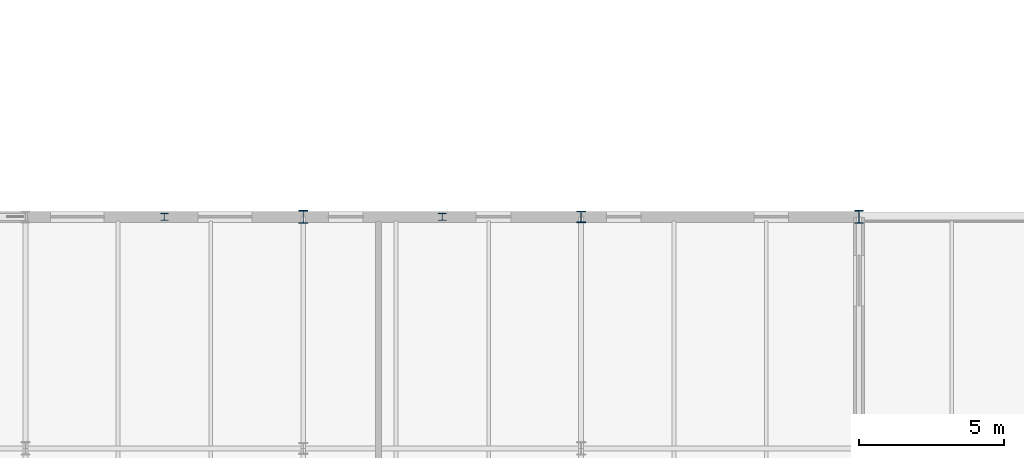
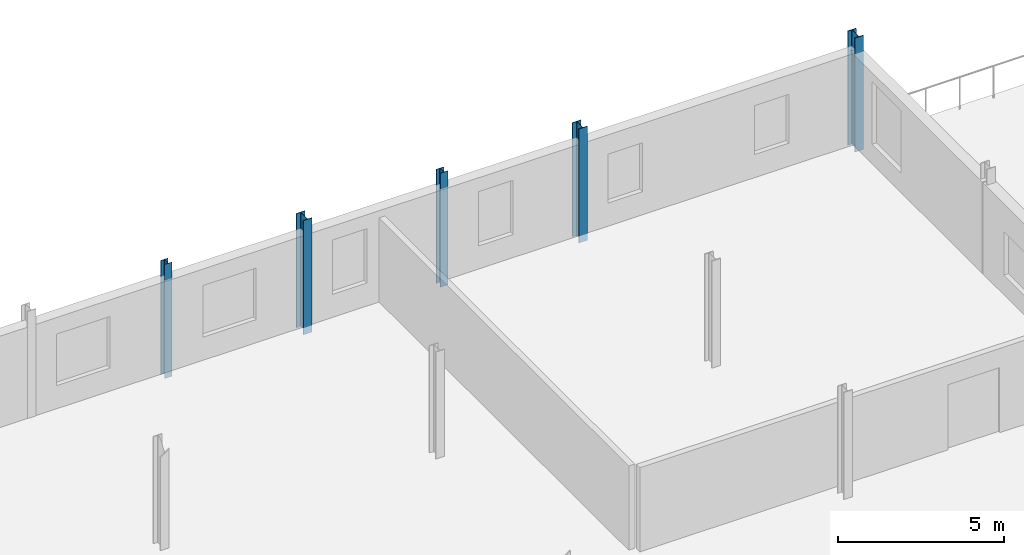
# One storey, part 23 of 85: 5 columns.
"""IFC4 building model written with IfcOpenShell, lengths in metres."""

from ifc_helpers import new_model, si_unit, direction, frame, origin, origin_2d, place, context, subcontext, project, spatial, i_section, extrude, material, material_profile, profile_set, type_object, element, save


model = new_model("IFC4")

# Units and contexts
model_context = context("Model", 3, precision=1e-05, world=origin(), true_north=direction((0.0, 1.0)))
body_context = subcontext(model_context, "Body", "Model", "MODEL_VIEW")
ifc_project = project(units=[si_unit("LENGTHUNIT", "METRE"), si_unit("AREAUNIT", "SQUARE_METRE"), si_unit("VOLUMEUNIT", "CUBIC_METRE"), si_unit("PLANEANGLEUNIT", "RADIAN"), si_unit("MASSUNIT", "GRAM", prefix="KILO")], contexts=[model_context])

# Site, building, storey
site_placement = place(None, origin())
site = spatial("IfcSite", under=ifc_project, at=site_placement, CompositionType="ELEMENT")
building_placement = place(site_placement, origin())
building = spatial("IfcBuilding", under=site, at=building_placement, Name="Alderhovde Museum", CompositionType="ELEMENT")
storey_placement = place(building_placement, frame((0.0, 0.0, 8.699951171875)))
storey = spatial("IfcBuildingStorey", under=building, at=storey_placement, Name="L02", CompositionType="ELEMENT", Elevation=8.699951171875)

# Columns
ifc_material_1 = material(Name="Steel S355J2", Category="steel")
ifc_material_profile_1 = material_profile(ifc_material_1, i_section(OverallWidth=0.300048828125, OverallDepth=0.39990234375, WebThickness=0.013427734375, FlangeThickness=0.02392578125, FilletRadius=0.027099609375, at=origin_2d()), Name="HEB 400")
ifc_profile_set_1 = profile_set([ifc_material_profile_1], Name="Steel S355J2")
column_type_1 = type_object("IfcColumnType", Name="COL-HEB400", PredefinedType="COLUMN", material=ifc_profile_set_1)
column_placement = place(storey_placement, frame((153.60009765625, 96.0, -0.260009765625), z_axis=(0.0, 0.0, 1.0), x_axis=(1.0, 0.0, 0.0)))
element("IfcColumn", 1, at=column_placement, inside=storey, type_object=column_type_1, Name="L02 Column (153.6, 96.0)", PredefinedType="COLUMN", context=body_context, shape_type="SweptSolid", body=[
    extrude(i_section(OverallWidth=0.300048828125, OverallDepth=0.39990234375, WebThickness=0.013427734375, FlangeThickness=0.02392578125, FilletRadius=0.027099609375, at=origin_2d()), origin(), (0.0, 0.0, 1.0), 4.199951171875),
])
ifc_material_2 = material(Name="Steel S355J2", Category="steel")
ifc_material_profile_2 = material_profile(ifc_material_2, i_section(OverallWidth=0.300048828125, OverallDepth=0.449951171875, WebThickness=0.013916015625, FlangeThickness=0.02587890625, FilletRadius=0.027099609375, at=origin_2d()), Name="HEB 450")
ifc_profile_set_2 = profile_set([ifc_material_profile_2], Name="Steel S355J2")
column_type_2 = type_object("IfcColumnType", Name="COL-HEB450", PredefinedType="COLUMN", material=ifc_profile_set_2)
for number, where, z_axis, x_axis, name in (
    (2, (144.0, 96.0, -0.260009765625), (0.0, 0.0, 1.0), (1.0, 0.0, 0.0), "L02 Column (144.0, 96.0)"),
    (3, (163.199951171875, 96.0, -0.260009765625), (0.0, 0.0, 1.0), (1.0, 0.0, 0.0), "L02 Column (163.2, 96.0)"),
):
    element("IfcColumn", number, at=place(storey_placement, frame(where, z_axis=z_axis, x_axis=x_axis)), inside=storey, type_object=column_type_2, Name=name, PredefinedType="COLUMN", context=body_context, shape_type="SweptSolid", body=[
        extrude(i_section(OverallWidth=0.300048828125, OverallDepth=0.449951171875, WebThickness=0.013916015625, FlangeThickness=0.02587890625, FilletRadius=0.027099609375, at=origin_2d()), origin(), (0.0, 0.0, 1.0), 4.199951171875),
    ])
ifc_material_3 = material(Name="Steel S355J2", Category="steel")
ifc_material_profile_3 = material_profile(ifc_material_3, i_section(OverallWidth=0.260009765625, OverallDepth=0.25, WebThickness=0.007568359375, FlangeThickness=0.012451171875, FilletRadius=0.02392578125, at=origin_2d()), Name="HEA 260")
ifc_profile_set_3 = profile_set([ifc_material_profile_3], Name="Steel S355J2")
column_type_3 = type_object("IfcColumnType", Name="PIL-HEA260", PredefinedType="PILASTER", material=ifc_profile_set_3)
for number, where, z_axis, x_axis, name in (
    (4, (139.199951171875, 96.0, -0.260009765625), (0.0, 0.0, 1.0), (1.0, 0.0, 0.0), "L02 Structural Pilaster (139.2, 96.0)"),
    (5, (148.800048828125, 96.0, -0.260009765625), (0.0, 0.0, 1.0), (1.0, 0.0, 0.0), "L02 Structural Pilaster (148.8, 96.0)"),
):
    element("IfcColumn", number, at=place(storey_placement, frame(where, z_axis=z_axis, x_axis=x_axis)), inside=storey, type_object=column_type_3, Name=name, PredefinedType="PILASTER", context=body_context, shape_type="SweptSolid", body=[
        extrude(i_section(OverallWidth=0.260009765625, OverallDepth=0.25, WebThickness=0.007568359375, FlangeThickness=0.012451171875, FilletRadius=0.02392578125, at=origin_2d()), origin(), (0.0, 0.0, 1.0), 4.199951171875),
    ])

save(model, "model.ifc")
